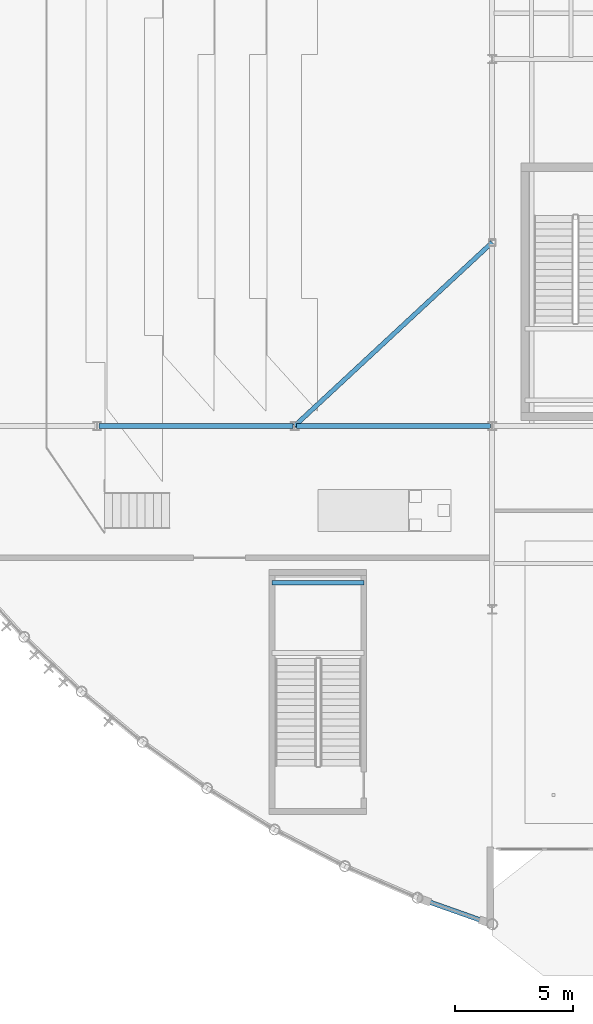
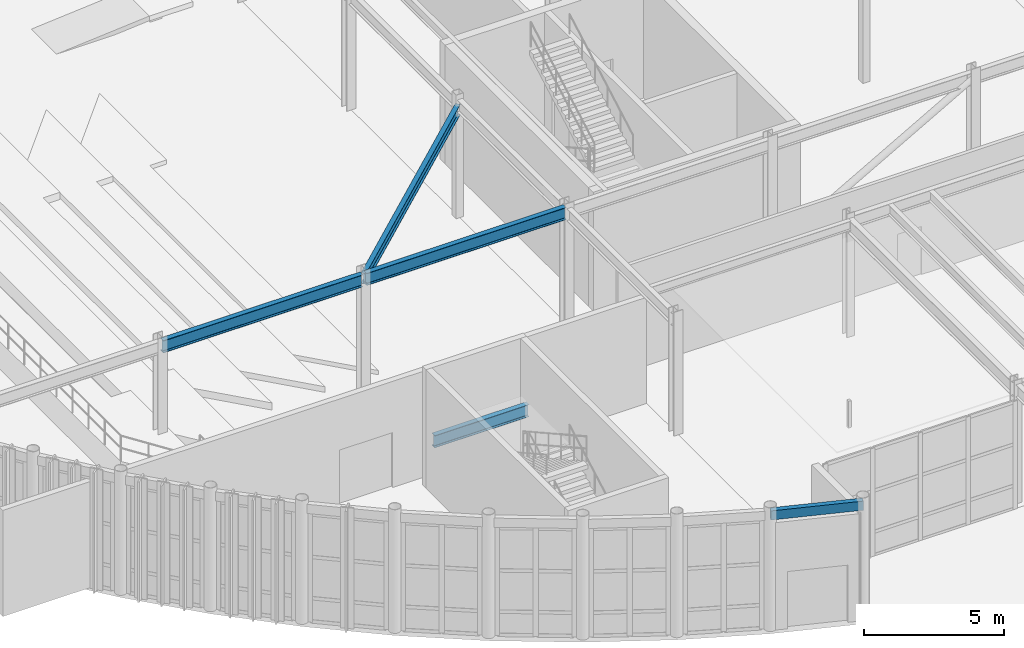
# One storey, part 24 of 87: 5 beams.
"""IFC4 building model written with IfcOpenShell, lengths in metres."""

from ifc_helpers import new_model, si_unit, direction, frame, origin, origin_2d, place, context, subcontext, project, spatial, hollow_rectangle, i_section, extrude, material, material_profile, profile_set, type_object, element, save


model = new_model("IFC4")

# Units and contexts
model_context = context("Model", 3, precision=1e-05, world=origin(), true_north=direction((0.0, 1.0)))
body_context = subcontext(model_context, "Body", "Model", "MODEL_VIEW")
ifc_project = project(units=[si_unit("LENGTHUNIT", "METRE"), si_unit("AREAUNIT", "SQUARE_METRE"), si_unit("VOLUMEUNIT", "CUBIC_METRE"), si_unit("PLANEANGLEUNIT", "RADIAN"), si_unit("MASSUNIT", "GRAM", prefix="KILO")], contexts=[model_context])

# Site, building, storey
site_placement = place(None, origin())
site = spatial("IfcSite", under=ifc_project, at=site_placement, CompositionType="ELEMENT")
building_placement = place(site_placement, origin())
building = spatial("IfcBuilding", under=site, at=building_placement, Name="Selat Folded Stagehouse", CompositionType="ELEMENT")
storey_placement = place(building_placement, origin())
storey = spatial("IfcBuildingStorey", under=building, at=storey_placement, Name="L00", CompositionType="ELEMENT", Elevation=0.0)

# Beams
ifc_material = material(Name="Steel S355", Category="steel")
ifc_material_profile_1 = material_profile(ifc_material, i_section(OverallWidth=0.209228515625, OverallDepth=0.533203125, WebThickness=0.010009765625, FlangeThickness=0.015625, FilletRadius=0.0126953125, at=origin_2d()), Name="UKB 533x210x92")
ifc_profile_set_1 = profile_set([ifc_material_profile_1], Name="Steel S355")
beam_type_1 = type_object("IfcBeamType", Name="BM-GIRD-533x210x92", PredefinedType="BEAM", material=ifc_profile_set_1)
beam_1_placement = place(storey_placement, frame((16.8798828125, 23.39990234375, 4.91357421875), z_axis=(1.0, 0.0, 0.0), x_axis=(0.0, 1.0, 0.0)))
element("IfcBeam", 1, at=beam_1_placement, inside=storey, type_object=beam_type_1, Name="L00 primary x-girder 0520", PredefinedType="BEAM", context=body_context, shape_type="SweptSolid", body=[
    extrude(i_section(OverallWidth=0.209228515625, OverallDepth=0.533203125, WebThickness=0.010009765625, FlangeThickness=0.015625, FilletRadius=0.0126953125, at=origin_2d()), origin(), (0.0, 0.0, 1.0), 8.240234375),
])
beam_2_placement = place(storey_placement, frame((25.280029296875, 23.39990234375, 4.91357421875), z_axis=(1.0, 0.0, 0.0), x_axis=(0.0, 1.0, 0.0)))
element("IfcBeam", 2, at=beam_2_placement, inside=storey, type_object=beam_type_1, Name="L00 primary x-girder 0521", PredefinedType="BEAM", context=body_context, shape_type="SweptSolid", body=[
    extrude(i_section(OverallWidth=0.209228515625, OverallDepth=0.533203125, WebThickness=0.010009765625, FlangeThickness=0.015625, FilletRadius=0.0126953125, at=origin_2d()), origin(), (0.0, 0.0, 1.0), 8.239990234375),
])
beam_3_placement = place(storey_placement, frame((24.239990234375, 16.72998046875, 2.2333984375), z_axis=(1.0, 0.0, 0.0), x_axis=(0.0, 1.0, 0.0)))
element("IfcBeam", 3, at=beam_3_placement, inside=storey, type_object=beam_type_1, Name="L00 ST-09 landing support beam 2", PredefinedType="BEAM", context=body_context, shape_type="SweptSolid", body=[
    extrude(i_section(OverallWidth=0.209228515625, OverallDepth=0.533203125, WebThickness=0.010009765625, FlangeThickness=0.015625, FilletRadius=0.0126953125, at=origin_2d()), origin(), (0.0, 0.0, 1.0), 3.89990234375),
])
ifc_material_profile_2 = material_profile(ifc_material, i_section(OverallWidth=0.19140625, OverallDepth=0.4599609375, WebThickness=0.010009765625, FlangeThickness=0.01611328125, FilletRadius=0.01025390625, at=origin_2d()), Name="UKB 457x191x82")
ifc_profile_set_2 = profile_set([ifc_material_profile_2], Name="Steel S355")
beam_type_2 = type_object("IfcBeamType", Name="BM-RAKER-457x191x82", PredefinedType="BEAM", material=ifc_profile_set_2)
beam_4_placement = place(storey_placement, frame((33.60009765625, 31.199951171875, 4.64990234375), z_axis=(-0.732594068574, -0.680258316531, 0.023548959219), x_axis=(0.680447014825, -0.732797284394, 0.0)))
element("IfcBeam", 4, at=beam_4_placement, inside=storey, type_object=beam_type_2, Name="L00 dress circle radial raker beam S", PredefinedType="BEAM", context=body_context, shape_type="SweptSolid", body=[
    extrude(i_section(OverallWidth=0.19140625, OverallDepth=0.4599609375, WebThickness=0.010009765625, FlangeThickness=0.01611328125, FilletRadius=0.01025390625, at=origin_2d()), origin(), (0.0, 0.0, 1.0), 11.46630859375),
])
ifc_material_profile_3 = material_profile(ifc_material, hollow_rectangle(XDim=0.199951171875, YDim=0.39990234375, WallThickness=0.012451171875, at=origin_2d()), Name="RHS 400x200x12.5")
ifc_profile_set_3 = profile_set([ifc_material_profile_3], Name="Steel S355")
beam_type_3 = type_object("IfcBeamType", Name="SPD-EXT-400x200", PredefinedType="SPANDREL", material=ifc_profile_set_3)
beam_5_placement = place(storey_placement, frame((30.423583984375, 3.333740234375, 4.97998046875), z_axis=(0.942833706296, -0.333263562774, 0.0), x_axis=(0.333263562774, 0.942833706296, 0.0)))
element("IfcBeam", 5, at=beam_5_placement, inside=storey, type_object=beam_type_3, Name="L00 curved drum spandrel beam 20", PredefinedType="SPANDREL", context=body_context, shape_type="SweptSolid", body=[
    extrude(hollow_rectangle(XDim=0.199951171875, YDim=0.39990234375, WallThickness=0.012451171875, at=origin_2d()), origin(), (0.0, 0.0, 1.0), 3.369140625),
])

save(model, "model.ifc")
